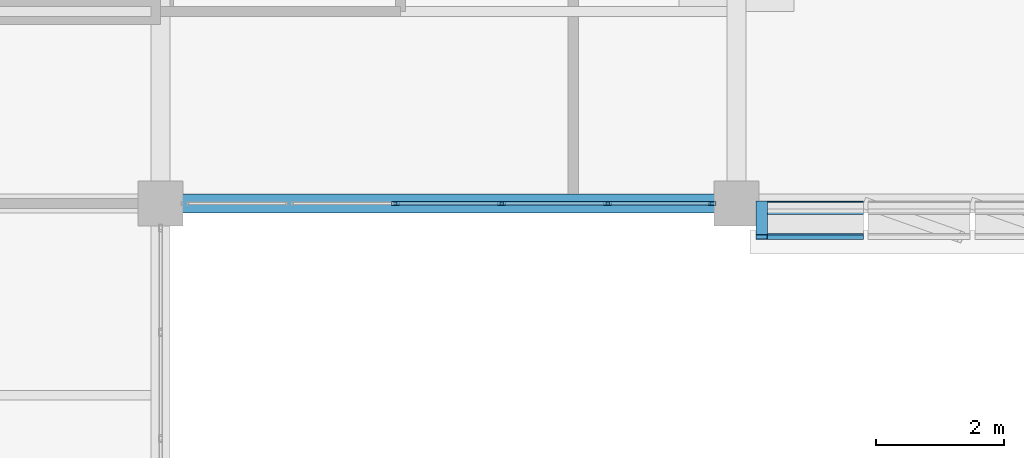
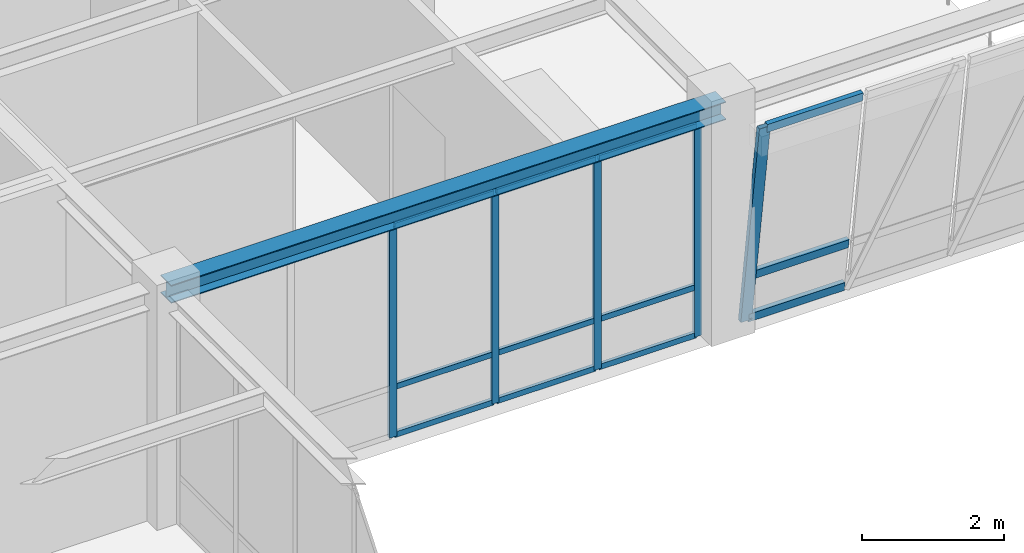
# One storey, part 45 of 108: 17 members, 1 beam, 2 elements without a shape of their own.
"""IFC4 building model written with IfcOpenShell, lengths in metres."""

from ifc_helpers import new_model, si_unit, direction, frame, origin, origin_2d, place, context, subcontext, project, spatial, hollow_rectangle, i_section, extrude, material, material_profile, profile_set, type_object, element, aggregate, save


model = new_model("IFC4")

# Units and contexts
model_context = context("Model", 3, precision=1e-05, world=origin(), true_north=direction((0.0, 1.0)))
body_context = subcontext(model_context, "Body", "Model", "MODEL_VIEW")
ifc_project = project(units=[si_unit("LENGTHUNIT", "METRE"), si_unit("AREAUNIT", "SQUARE_METRE"), si_unit("VOLUMEUNIT", "CUBIC_METRE"), si_unit("PLANEANGLEUNIT", "RADIAN"), si_unit("MASSUNIT", "GRAM", prefix="KILO")], contexts=[model_context])

# Site, building, storey
site_placement = place(None, origin())
site = spatial("IfcSite", under=ifc_project, at=site_placement, CompositionType="ELEMENT")
building_placement = place(site_placement, origin())
building = spatial("IfcBuilding", under=site, at=building_placement, Name="Lykobir Media Centre", CompositionType="ELEMENT")
storey_placement = place(building_placement, frame((0.0, 0.0, 15.0)))
storey = spatial("IfcBuildingStorey", under=building, at=storey_placement, Name="L03", CompositionType="ELEMENT", Elevation=15.0)

# Curtain wall, members
ifc_material_1 = material(Name="Anodized Aluminium AW-6060", Category="aluminium")
curtain_wall_type_1 = type_object("IfcCurtainWallType", Name="CW-COURT-B", PredefinedType="NOTDEFINED", material=ifc_material_1)
curtain_wall_1_placement = place(storey_placement, origin())
curtain_wall_1 = element("IfcCurtainWall", 1, at=curtain_wall_1_placement, inside=storey, type_object=curtain_wall_type_1, Name="Curtain wall CW2-L03-0120", PredefinedType="NOTDEFINED")
ifc_material_profile_1 = material_profile(ifc_material_1, hollow_rectangle(XDim=0.054931640625, YDim=0.1201171875, WallThickness=0.003173828125, at=origin_2d()), Name="ALU MULLION 55x120")
ifc_profile_set_1 = profile_set([ifc_material_profile_1], Name="Anodized Aluminium AW-6060")
member_type_1 = type_object("IfcMemberType", Name="CWM-120", PredefinedType="MULLION", material=ifc_profile_set_1)
member_1_placement = place(storey_placement, frame((44.617431640625, 63.0, 0.0), z_axis=(0.0, 0.0, 1.0), x_axis=(0.0, -1.0, 0.0)))
member_1 = element("IfcMember", 2, at=member_1_placement, type_object=member_type_1, Name="CW2-L03-0120 mullion 1", PredefinedType="MULLION", context=body_context, shape_type="SweptSolid", body=[
    extrude(hollow_rectangle(XDim=0.054931640625, YDim=0.1201171875, WallThickness=0.003173828125, at=origin_2d()), origin(), (0.0, 0.0, 1.0), 3.635009765625),
])
member_2_placement = place(storey_placement, frame((42.987060546875, 63.0, 0.0), z_axis=(0.0, 0.0, 1.0), x_axis=(0.0, -1.0, 0.0)))
member_2 = element("IfcMember", 3, at=member_2_placement, type_object=member_type_1, Name="CW2-L03-0120 mullion 2", PredefinedType="MULLION", context=body_context, shape_type="SweptSolid", body=[
    extrude(hollow_rectangle(XDim=0.054931640625, YDim=0.1201171875, WallThickness=0.003173828125, at=origin_2d()), origin(), (0.0, 0.0, 1.0), 3.635009765625),
])
member_3_placement = place(storey_placement, frame((41.3291015625, 63.0, 0.0), z_axis=(0.0, 0.0, 1.0), x_axis=(0.0, -1.0, 0.0)))
member_3 = element("IfcMember", 4, at=member_3_placement, type_object=member_type_1, Name="CW2-L03-0120 mullion 3", PredefinedType="MULLION", context=body_context, shape_type="SweptSolid", body=[
    extrude(hollow_rectangle(XDim=0.054931640625, YDim=0.1201171875, WallThickness=0.003173828125, at=origin_2d()), origin(), (0.0, 0.0, 1.0), 3.635009765625),
])
member_4_placement = place(storey_placement, frame((39.6708984375, 63.0, 0.0), z_axis=(0.0, 0.0, 1.0), x_axis=(0.0, -1.0, 0.0)))
member_4 = element("IfcMember", 5, at=member_4_placement, type_object=member_type_1, Name="CW2-L03-0120 mullion 4", PredefinedType="MULLION", context=body_context, shape_type="SweptSolid", body=[
    extrude(hollow_rectangle(XDim=0.054931640625, YDim=0.1201171875, WallThickness=0.003173828125, at=origin_2d()), origin(), (0.0, 0.0, 1.0), 3.635009765625),
])

# Curtain wall, member
curtain_wall_type_2 = type_object("IfcCurtainWallType", Name="CW-V6-CR3", PredefinedType="NOTDEFINED", material=ifc_material_1)
curtain_wall_2_placement = place(storey_placement, origin())
curtain_wall_2 = element("IfcCurtainWall", 6, at=curtain_wall_2_placement, inside=storey, type_object=curtain_wall_type_2, Name="Curtain wall CW2-L03-0121", PredefinedType="NOTDEFINED")
ifc_material_profile_2 = material_profile(ifc_material_1, hollow_rectangle(XDim=0.074951171875, YDim=0.179931640625, WallThickness=0.00390625, at=origin_2d()), Name="ALU MULLION 75x180")
ifc_profile_set_2 = profile_set([ifc_material_profile_2], Name="Anodized Aluminium AW-6060")
member_type_2 = type_object("IfcMemberType", Name="CWM-180", PredefinedType="MULLION", material=ifc_profile_set_2)
member_5_placement = place(storey_placement, frame((45.392578125, 63.0, 0.0), z_axis=(0.0, -0.142593917485, 0.98978127619), x_axis=(0.0, 0.98978127619, 0.142593917485)))
member_5 = element("IfcMember", 7, at=member_5_placement, type_object=member_type_2, Name="CW2-L03-0121 mullion 1", PredefinedType="MULLION", context=body_context, shape_type="SweptSolid", body=[
    extrude(hollow_rectangle(XDim=0.074951171875, YDim=0.179931640625, WallThickness=0.00390625, at=origin_2d()), origin(), (0.0, 0.0, 1.0), 3.672607421875),
])

# Member
ifc_material_profile_3 = material_profile(ifc_material_1, hollow_rectangle(XDim=0.054931640625, YDim=0.094970703125, WallThickness=0.0029296875, at=origin_2d()), Name="ALU TRANSOM 55x95")
ifc_profile_set_3 = profile_set([ifc_material_profile_3], Name="Anodized Aluminium AW-6060")
member_type_3 = type_object("IfcMemberType", Name="CWT-095", PredefinedType="USERDEFINED", material=ifc_profile_set_3)
member_6_placement = place(storey_placement, frame((44.590087890625, 63.0, 0.027587890625), z_axis=(-1.0, 0.0, 0.0), x_axis=(0.0, -1.0, 0.0)))
member_6 = element("IfcMember", 8, at=member_6_placement, type_object=member_type_3, Name="CW2-L03-0120 transom 1.1", ObjectType="TRANSOM", PredefinedType="USERDEFINED", context=body_context, shape_type="SweptSolid", body=[
    extrude(hollow_rectangle(XDim=0.054931640625, YDim=0.094970703125, WallThickness=0.0029296875, at=origin_2d()), origin(), (0.0, 0.0, 1.0), 1.57568359375),
])

member_7_placement = place(storey_placement, frame((44.590087890625, 63.0, 0.85009765625), z_axis=(-1.0, 0.0, 0.0), x_axis=(0.0, -1.0, 0.0)))
member_7 = element("IfcMember", 9, at=member_7_placement, type_object=member_type_3, Name="CW2-L03-0120 transom 1.2", ObjectType="TRANSOM", PredefinedType="USERDEFINED", context=body_context, shape_type="SweptSolid", body=[
    extrude(hollow_rectangle(XDim=0.054931640625, YDim=0.094970703125, WallThickness=0.0029296875, at=origin_2d()), origin(), (0.0, 0.0, 1.0), 1.57568359375),
])

member_8_placement = place(storey_placement, frame((44.590087890625, 63.0, 3.607421875), z_axis=(-1.0, 0.0, 0.0), x_axis=(0.0, -1.0, 0.0)))
member_8 = element("IfcMember", 10, at=member_8_placement, type_object=member_type_3, Name="CW2-L03-0120 transom 1.3", ObjectType="TRANSOM", PredefinedType="USERDEFINED", context=body_context, shape_type="SweptSolid", body=[
    extrude(hollow_rectangle(XDim=0.054931640625, YDim=0.094970703125, WallThickness=0.0029296875, at=origin_2d()), origin(), (0.0, 0.0, 1.0), 1.57568359375),
])

member_9_placement = place(storey_placement, frame((42.95947265625, 63.0, 0.027587890625), z_axis=(-1.0, 0.0, 0.0), x_axis=(0.0, -1.0, 0.0)))
member_9 = element("IfcMember", 11, at=member_9_placement, type_object=member_type_3, Name="CW2-L03-0120 transom 2.1", ObjectType="TRANSOM", PredefinedType="USERDEFINED", context=body_context, shape_type="SweptSolid", body=[
    extrude(hollow_rectangle(XDim=0.054931640625, YDim=0.094970703125, WallThickness=0.0029296875, at=origin_2d()), origin(), (0.0, 0.0, 1.0), 1.60302734375),
])

member_10_placement = place(storey_placement, frame((42.95947265625, 63.0, 0.85009765625), z_axis=(-1.0, 0.0, 0.0), x_axis=(0.0, -1.0, 0.0)))
member_10 = element("IfcMember", 12, at=member_10_placement, type_object=member_type_3, Name="CW2-L03-0120 transom 2.2", ObjectType="TRANSOM", PredefinedType="USERDEFINED", context=body_context, shape_type="SweptSolid", body=[
    extrude(hollow_rectangle(XDim=0.054931640625, YDim=0.094970703125, WallThickness=0.0029296875, at=origin_2d()), origin(), (0.0, 0.0, 1.0), 1.60302734375),
])

member_11_placement = place(storey_placement, frame((42.95947265625, 63.0, 3.607421875), z_axis=(-1.0, 0.0, 0.0), x_axis=(0.0, -1.0, 0.0)))
member_11 = element("IfcMember", 13, at=member_11_placement, type_object=member_type_3, Name="CW2-L03-0120 transom 2.3", ObjectType="TRANSOM", PredefinedType="USERDEFINED", context=body_context, shape_type="SweptSolid", body=[
    extrude(hollow_rectangle(XDim=0.054931640625, YDim=0.094970703125, WallThickness=0.0029296875, at=origin_2d()), origin(), (0.0, 0.0, 1.0), 1.60302734375),
])

member_12_placement = place(storey_placement, frame((41.301513671875, 63.0, 0.027587890625), z_axis=(-1.0, 0.0, 0.0), x_axis=(0.0, -1.0, 0.0)))
member_12 = element("IfcMember", 14, at=member_12_placement, type_object=member_type_3, Name="CW2-L03-0120 transom 3.1", ObjectType="TRANSOM", PredefinedType="USERDEFINED", context=body_context, shape_type="SweptSolid", body=[
    extrude(hollow_rectangle(XDim=0.054931640625, YDim=0.094970703125, WallThickness=0.0029296875, at=origin_2d()), origin(), (0.0, 0.0, 1.0), 1.60302734375),
])

member_13_placement = place(storey_placement, frame((41.301513671875, 63.0, 0.85009765625), z_axis=(-1.0, 0.0, 0.0), x_axis=(0.0, -1.0, 0.0)))
member_13 = element("IfcMember", 15, at=member_13_placement, type_object=member_type_3, Name="CW2-L03-0120 transom 3.2", ObjectType="TRANSOM", PredefinedType="USERDEFINED", context=body_context, shape_type="SweptSolid", body=[
    extrude(hollow_rectangle(XDim=0.054931640625, YDim=0.094970703125, WallThickness=0.0029296875, at=origin_2d()), origin(), (0.0, 0.0, 1.0), 1.60302734375),
])

member_14_placement = place(storey_placement, frame((41.301513671875, 63.0, 3.607421875), z_axis=(-1.0, 0.0, 0.0), x_axis=(0.0, -1.0, 0.0)))
member_14 = element("IfcMember", 16, at=member_14_placement, type_object=member_type_3, Name="CW2-L03-0120 transom 3.3", ObjectType="TRANSOM", PredefinedType="USERDEFINED", context=body_context, shape_type="SweptSolid", body=[
    extrude(hollow_rectangle(XDim=0.054931640625, YDim=0.094970703125, WallThickness=0.0029296875, at=origin_2d()), origin(), (0.0, 0.0, 1.0), 1.60302734375),
])

aggregate(curtain_wall_1, [member_1, member_2, member_3, member_4, member_6, member_7, member_8, member_9, member_10, member_11, member_12, member_13, member_14])

ifc_material_profile_4 = material_profile(ifc_material_1, hollow_rectangle(XDim=0.074951171875, YDim=0.14990234375, WallThickness=0.00341796875, at=origin_2d()), Name="ALU TRANSOM 75x150")
ifc_profile_set_4 = profile_set([ifc_material_profile_4], Name="Anodized Aluminium AW-6060")
member_type_4 = type_object("IfcMemberType", Name="CWT-150", PredefinedType="USERDEFINED", material=ifc_profile_set_4)
member_15_placement = place(storey_placement, frame((45.429931640625, 62.99462890625, 0.037109375), z_axis=(1.0, 0.0, 0.0), x_axis=(0.0, 0.989776230908, 0.142628933706)))
member_15 = element("IfcMember", 17, at=member_15_placement, type_object=member_type_4, Name="CW2-L03-0121 transom 1.1", ObjectType="TRANSOM", PredefinedType="USERDEFINED", context=body_context, shape_type="SweptSolid", body=[
    extrude(hollow_rectangle(XDim=0.074951171875, YDim=0.14990234375, WallThickness=0.00341796875, at=origin_2d()), origin(), (0.0, 0.0, 1.0), 1.5556640625),
])

member_16_placement = place(storey_placement, frame((45.429931640625, 62.87890625, 0.84130859375), z_axis=(1.0, 0.0, 0.0), x_axis=(0.0, 0.989776230908, 0.142628933706)))
member_16 = element("IfcMember", 18, at=member_16_placement, type_object=member_type_4, Name="CW2-L03-0121 transom 1.2", ObjectType="TRANSOM", PredefinedType="USERDEFINED", context=body_context, shape_type="SweptSolid", body=[
    extrude(hollow_rectangle(XDim=0.074951171875, YDim=0.14990234375, WallThickness=0.00341796875, at=origin_2d()), origin(), (0.0, 0.0, 1.0), 1.5556640625),
])

member_17_placement = place(storey_placement, frame((45.429931640625, 62.4814453125, 3.597900390625), z_axis=(1.0, 0.0, 0.0), x_axis=(0.0, 0.989776230908, 0.142628933706)))
member_17 = element("IfcMember", 19, at=member_17_placement, type_object=member_type_4, Name="CW2-L03-0121 transom 1.3", ObjectType="TRANSOM", PredefinedType="USERDEFINED", context=body_context, shape_type="SweptSolid", body=[
    extrude(hollow_rectangle(XDim=0.074951171875, YDim=0.14990234375, WallThickness=0.00341796875, at=origin_2d()), origin(), (0.0, 0.0, 1.0), 1.5556640625),
])

aggregate(curtain_wall_2, [member_5, member_15, member_16, member_17])

# Beam
ifc_material_2 = material(Name="Steel S355", Category="steel")
ifc_material_profile_5 = material_profile(ifc_material_2, i_section(OverallWidth=0.300048828125, OverallDepth=0.31005859375, WebThickness=0.009033203125, FlangeThickness=0.015380859375, at=origin_2d()), Name="HEA 320")
ifc_profile_set_5 = profile_set([ifc_material_profile_5], Name="Steel S355")
beam_type = type_object("IfcBeamType", Name="SP-HEA320", PredefinedType="SPANDREL", material=ifc_profile_set_5)
beam_placement = place(storey_placement, frame((36.0, 63.0, 3.804931640625), z_axis=(1.0, 0.0, 0.0), x_axis=(0.0, 1.0, 0.0)))
element("IfcBeam", 20, at=beam_placement, inside=storey, type_object=beam_type, Name="Beam BM-L03-0360-0630-0450-0630-1880", PredefinedType="SPANDREL", context=body_context, shape_type="SweptSolid", body=[
    extrude(i_section(OverallWidth=0.300048828125, OverallDepth=0.31005859375, WebThickness=0.009033203125, FlangeThickness=0.015380859375, at=origin_2d()), origin(), (0.0, 0.0, 1.0), 9.0),
])

save(model, "model.ifc")
